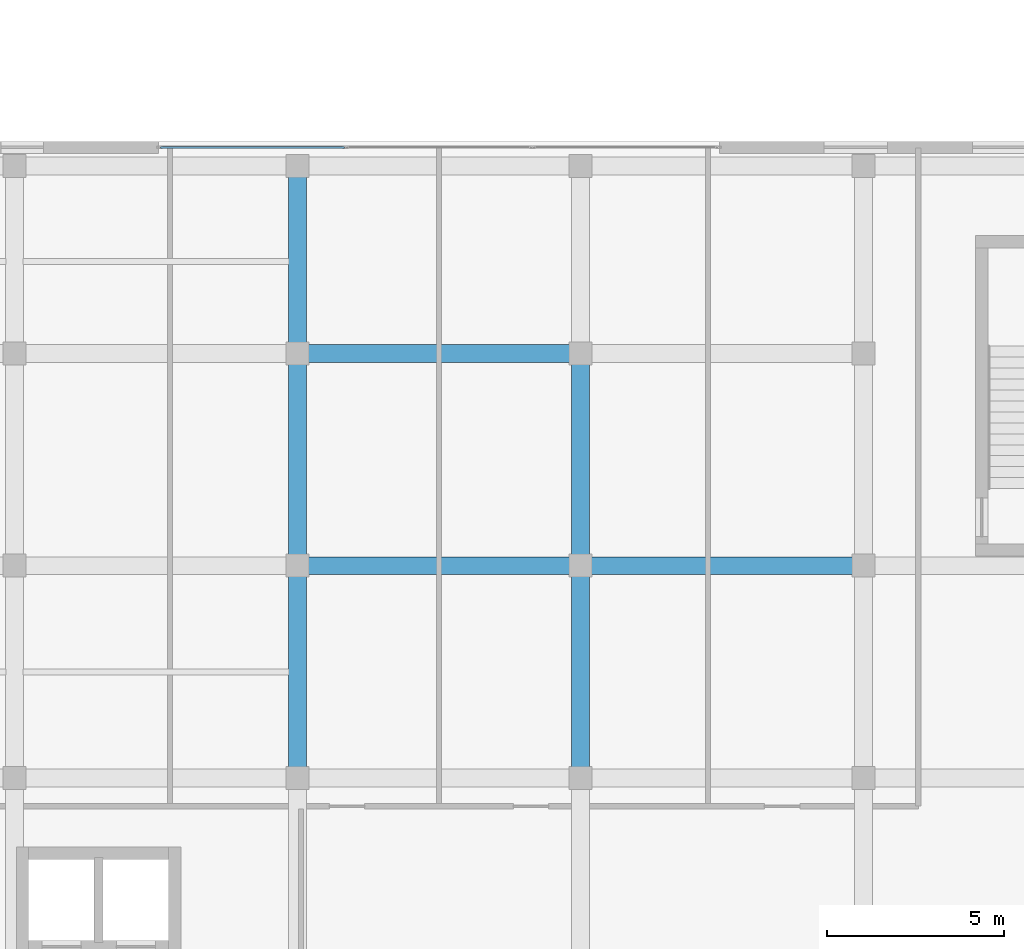
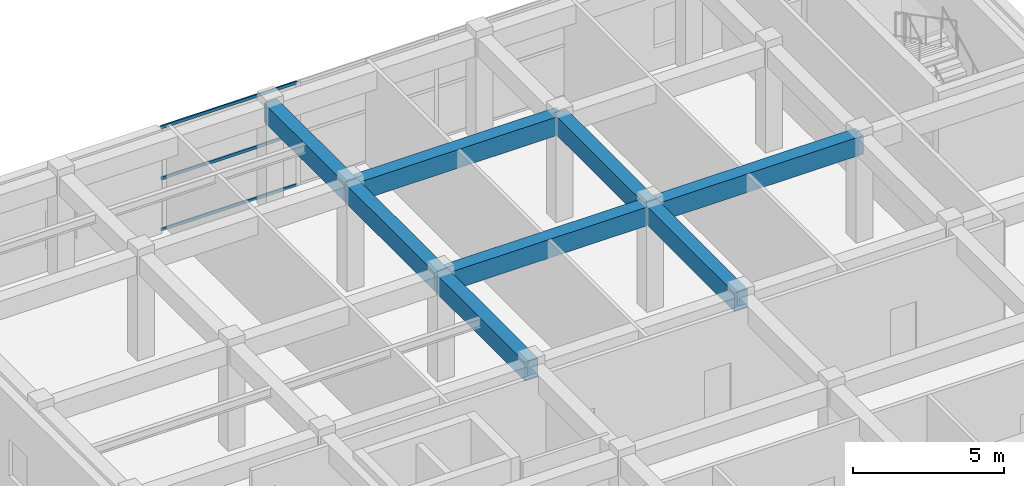
# One storey, part 14 of 26: 8 beams, 3 members, 1 element without a shape of its own.
"""IFC4 building model written with IfcOpenShell, lengths in metres."""

from ifc_helpers import new_model, si_unit, direction, frame, origin, origin_2d, place, context, subcontext, project, spatial, rectangle, hollow_rectangle, extrude, source, transform, mapped, material, layer, layer_set, material_profile, profile_set, type_object, element, aggregate, save


model = new_model("IFC4")

# Units and contexts
model_context = context("Model", 3, precision=1e-05, world=origin(), true_north=direction((0.0, 1.0)))
body_context = subcontext(model_context, "Body", "Model", "MODEL_VIEW")
ifc_project = project(units=[si_unit("LENGTHUNIT", "METRE"), si_unit("AREAUNIT", "SQUARE_METRE"), si_unit("VOLUMEUNIT", "CUBIC_METRE"), si_unit("PLANEANGLEUNIT", "RADIAN"), si_unit("MASSUNIT", "GRAM", prefix="KILO")], contexts=[model_context])

# Site, building, storey
site_placement = place(None, origin())
site = spatial("IfcSite", under=ifc_project, at=site_placement, CompositionType="ELEMENT")
building_placement = place(site_placement, origin())
building = spatial("IfcBuilding", under=site, at=building_placement, Name="Khoralis Quay Care Tower", CompositionType="ELEMENT")
storey_placement = place(building_placement, frame((0.0, 0.0, 4.5)))
storey = spatial("IfcBuildingStorey", under=building, at=storey_placement, Name="L01", CompositionType="ELEMENT", Elevation=4.5)

# Beams
ifc_material_1 = material(Name="Concrete C40/50", Category="concrete")
ifc_material_profile_1 = material_profile(ifc_material_1, rectangle(XDim=0.5, YDim=0.75, at=origin_2d()), Name="Concrete C40/50")
ifc_profile_set_1 = profile_set([ifc_material_profile_1], Name="Concrete C40/50")
beam_type = type_object("IfcBeamType", Name="BM-RC500X750", PredefinedType="BEAM", material=ifc_profile_set_1)
shared_shape_1 = source(origin(), body_context, "Body", "SweptSolid", [
    extrude(rectangle(XDim=0.5, YDim=0.75, at=origin_2d()), origin(), (0.0, 0.0, 1.0), 8.0),
])
for number, where, z_axis, x_axis, name in (
    (1, (84.0, 30.0, 3.824951171875), (1.0, 0.0, 0.0), (0.0, 1.0, 0.0), "BM-SCX-L01-21"),
    (2, (92.0, 30.0, 3.824951171875), (1.0, 0.0, 0.0), (0.0, 1.0, 0.0), "BM-SCX-L01-22"),
    (3, (84.0, 36.0, 3.824951171875), (1.0, 0.0, 0.0), (0.0, 1.0, 0.0), "BM-SCX-L01-26"),
):
    element("IfcBeam", number, at=place(storey_placement, frame(where, z_axis=z_axis, x_axis=x_axis)), inside=storey, type_object=beam_type, Name=name, PredefinedType="BEAM", context=body_context, shape_type="MappedRepresentation", body=[
        mapped(shared_shape_1, transform((0.0, 0.0, 0.0), scale=1.0)),
    ])
shared_shape_2 = source(origin(), body_context, "Body", "SweptSolid", [
    extrude(rectangle(XDim=0.5, YDim=0.75, at=origin_2d()), origin(), (0.0, 0.0, 1.0), 5.300048828125),
])
beam_placement = place(storey_placement, frame((84.0, 36.0, 3.824951171875), z_axis=(0.0, 1.0, 0.0), x_axis=(-1.0, 0.0, 0.0)))
element("IfcBeam", 4, at=beam_placement, inside=storey, type_object=beam_type, Name="BM-SCY-L01-50", PredefinedType="BEAM", context=body_context, shape_type="MappedRepresentation", body=[
    mapped(shared_shape_2, transform((0.0, 0.0, 0.0), scale=1.0)),
])
shared_shape_3 = source(origin(), body_context, "Body", "SweptSolid", [
    extrude(rectangle(XDim=0.5, YDim=0.75, at=origin_2d()), origin(), (0.0, 0.0, 1.0), 6.0),
])
for number, where, z_axis, x_axis, name in (
    (5, (84.0, 24.0, 3.824951171875), (0.0, 1.0, 0.0), (-1.0, 0.0, 0.0), "BM-SCY-L01-48"),
    (6, (84.0, 30.0, 3.824951171875), (0.0, 1.0, 0.0), (-1.0, 0.0, 0.0), "BM-SCY-L01-49"),
    (7, (92.0, 24.0, 3.824951171875), (0.0, 1.0, 0.0), (-1.0, 0.0, 0.0), "BM-SCY-L01-54"),
    (8, (92.0, 30.0, 3.824951171875), (0.0, 1.0, 0.0), (-1.0, 0.0, 0.0), "BM-SCY-L01-55"),
):
    element("IfcBeam", number, at=place(storey_placement, frame(where, z_axis=z_axis, x_axis=x_axis)), inside=storey, type_object=beam_type, Name=name, PredefinedType="BEAM", context=body_context, shape_type="MappedRepresentation", body=[
        mapped(shared_shape_3, transform((0.0, 0.0, 0.0), scale=1.0)),
    ])

# Curtain wall, members
ifc_material_2 = material(Name="Pale anodised aluminium", Category="aluminium")
ifc_layer = layer(ifc_material_2, 0.14990234375)
ifc_layer_set = layer_set([ifc_layer], Name="Pale anodised aluminium")
curtain_wall_type = type_object("IfcCurtainWallType", Name="CW-SYS-SCHOOL", PredefinedType="NOTDEFINED", material=ifc_layer_set)
curtain_wall_placement = place(storey_placement, origin())
curtain_wall = element("IfcCurtainWall", 9, at=curtain_wall_placement, inside=storey, type_object=curtain_wall_type, Name="L01 Unitised Curtain Wall CW-SCH-L01-E3", PredefinedType="NOTDEFINED")
ifc_material_profile_2 = material_profile(ifc_material_2, hollow_rectangle(XDim=0.054931640625, YDim=0.1201171875, WallThickness=0.00390625, at=origin_2d()), Name="Pale anodised aluminium")
ifc_profile_set_2 = profile_set([ifc_material_profile_2], Name="Pale anodised aluminium")
member_type = type_object("IfcMemberType", Name="CW-TRN-120", PredefinedType="USERDEFINED", material=ifc_profile_set_2)
shared_shape_4 = source(origin(), body_context, "Body", "SweptSolid", [
    extrude(hollow_rectangle(XDim=0.054931640625, YDim=0.1201171875, WallThickness=0.00390625, at=origin_2d()), origin(), (0.0, 0.0, 1.0), 5.197998046875),
])
member_1_placement = place(storey_placement, frame((85.325927734375, 41.830078125, 0.030029296875), z_axis=(-1.0, 0.0, 0.0), x_axis=(0.0, -1.0, 0.0)))
member_1 = element("IfcMember", 10, at=member_1_placement, type_object=member_type, Name="CW6 transom 3.1", ObjectType="TRANSOM", PredefinedType="USERDEFINED", context=body_context, shape_type="MappedRepresentation", body=[
    mapped(shared_shape_4, transform((0.0, 0.0, 0.0), scale=1.0)),
])
member_2_placement = place(storey_placement, frame((85.325927734375, 41.830078125, 2.10009765625), z_axis=(-1.0, 0.0, 0.0), x_axis=(0.0, -1.0, 0.0)))
member_2 = element("IfcMember", 11, at=member_2_placement, type_object=member_type, Name="CW6 transom 3.2", ObjectType="TRANSOM", PredefinedType="USERDEFINED", context=body_context, shape_type="MappedRepresentation", body=[
    mapped(shared_shape_4, transform((0.0, 0.0, 0.0), scale=1.0)),
])
member_3_placement = place(storey_placement, frame((85.325927734375, 41.830078125, 4.169921875), z_axis=(-1.0, 0.0, 0.0), x_axis=(0.0, -1.0, 0.0)))
member_3 = element("IfcMember", 12, at=member_3_placement, type_object=member_type, Name="CW6 transom 3.3", ObjectType="TRANSOM", PredefinedType="USERDEFINED", context=body_context, shape_type="MappedRepresentation", body=[
    mapped(shared_shape_4, transform((0.0, 0.0, 0.0), scale=1.0)),
])
aggregate(curtain_wall, [member_1, member_2, member_3])

save(model, "model.ifc")
